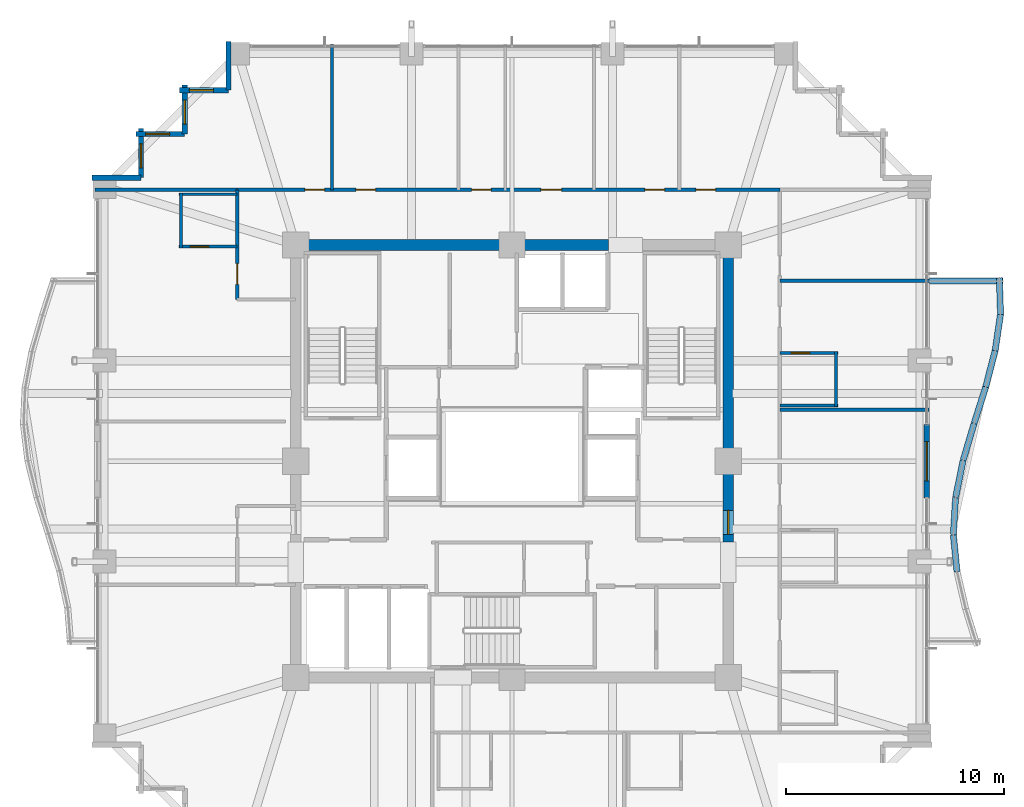
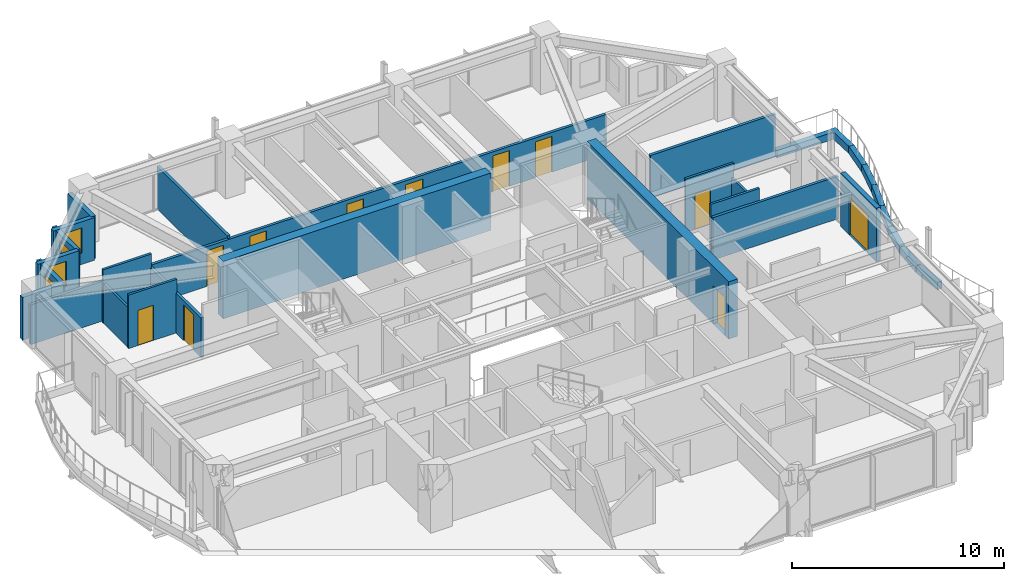
# One storey, part 34 of 38: 30 walls, 11 doors, 4 windows, 15 openings.
"""IFC4 building model written with IfcOpenShell, lengths in metres."""

from ifc_helpers import new_model, si_unit, direction, frame, frame_2d, origin, place, context, subcontext, project, spatial, rectangle, extrude, material, layer, layer_set, type_object, element, fill, save


model = new_model("IFC4")

# Units and contexts
model_context = context("Model", 3, precision=1e-05, world=origin(), true_north=direction((0.0, 1.0)))
body_context = subcontext(model_context, "Body", "Model", "MODEL_VIEW")
ifc_project = project(units=[si_unit("LENGTHUNIT", "METRE"), si_unit("AREAUNIT", "SQUARE_METRE"), si_unit("VOLUMEUNIT", "CUBIC_METRE"), si_unit("PLANEANGLEUNIT", "RADIAN"), si_unit("MASSUNIT", "GRAM", prefix="KILO")], contexts=[model_context])

# Site, building, storey
site_placement = place(None, origin())
site = spatial("IfcSite", under=ifc_project, at=site_placement, CompositionType="ELEMENT")
building_placement = place(site_placement, origin())
building = spatial("IfcBuilding", under=site, at=building_placement, Name="Kolvaren Belvedere", CompositionType="ELEMENT")
storey_placement = place(building_placement, frame((0.0, 0.0, 121.699951171875)))
storey = spatial("IfcBuildingStorey", under=building, at=storey_placement, Name="L35", CompositionType="ELEMENT", Elevation=121.699951171875)

# Wall
ifc_material_1 = material(Name="Concrete C50/60", Category="concrete")
ifc_layer_1 = layer(ifc_material_1, 0.5)
ifc_layer_set_1 = layer_set([ifc_layer_1], Name="Concrete C50/60")
wall_type_1 = type_object("IfcWallType", Name="CW-CORE-500", PredefinedType="SHEAR", material=ifc_layer_set_1)
wall_1_placement = place(storey_placement, frame((-10.14990234375, 9.89990234375, 0.0), z_axis=(0.0, 0.0, 1.0), x_axis=(1.0, 0.0, 0.0)))
element("IfcWall", 1, at=wall_1_placement, inside=storey, type_object=wall_type_1, Name="L35 North Core Shear Wall 1", PredefinedType="SHEAR", context=body_context, shape_type="SweptSolid", body=[
    extrude(rectangle(XDim=14.56982421875, YDim=0.5, at=frame_2d((7.284912109375, 0.0))), origin(), (0.0, 0.0, 1.0), 3.300048828125),
])

# Wall, opening, door
wall_2_placement = place(storey_placement, frame((9.89990234375, -3.699951171875, 0.0), z_axis=(0.0, 0.0, 1.0), x_axis=(0.0, 1.0, 0.0)))
wall_2 = element("IfcWall", 2, at=wall_2_placement, inside=storey, type_object=wall_type_1, Name="L35 East Core Shear Wall 2", PredefinedType="SHEAR", context=body_context, shape_type="SweptSolid", body=[
    extrude(rectangle(XDim=13.349853515625, YDim=0.5, at=frame_2d((6.6748046875, 0.0))), origin(), (0.0, 0.0, 1.0), 3.300048828125),
])
opening_1_placement = place(wall_2_placement, frame((0.35009765625, 0.0, 0.0)))
opening_1 = element("IfcOpeningElement", 3, at=opening_1_placement, cuts=wall_2, Name="Opening D-FD90", PredefinedType="OPENING", context=body_context, shape_type="SweptSolid", body=[
    extrude(rectangle(XDim=1.10009765625, YDim=2.199951171875, at=frame_2d((0.550048828125, 1.10009765625))), frame((0.0, 0.260009765625, 0.0), z_axis=(0.0, -1.0, 0.0), x_axis=(1.0, 0.0, 0.0)), (0.0, 0.0, 1.0), 0.52001953125),
])
ifc_material_2 = material(Name="Painted hollow stainless steel", Category="steel")
door_type_1 = type_object("IfcDoorType", Name="DR-FD90-1100", OperationType="NOTDEFINED", PredefinedType="DOOR", material=ifc_material_2)
door_1_placement = place(opening_1_placement, origin())
door_1 = element("IfcDoor", 4, at=door_1_placement, inside=storey, type_object=door_type_1, Name="L35 East Firefighting Lobby Fire Door", OperationType="SINGLE_SWING_RIGHT", OverallHeight=2.199951171875, OverallWidth=1.10009765625, PredefinedType="DOOR", context=body_context, shape_type="SweptSolid", body=[
    extrude(rectangle(XDim=1.10009765625, YDim=2.199951171875, at=frame_2d((0.550048828125, 1.10009765625))), frame((0.0, 0.02490234375, 0.0), z_axis=(0.0, -1.0, 0.0), x_axis=(1.0, 0.0, 0.0)), (0.0, 0.0, 1.0), 0.050048828125),
])
fill(opening_1, door_1)

# Wall, openings, doors
ifc_material_3 = material(Name="Gypsum fire-rated partition assembly", Category="gypsum")
ifc_layer_2 = layer(ifc_material_3, 0.14990234375)
ifc_layer_set_2 = layer_set([ifc_layer_2], Name="Gypsum fire-rated partition assembly")
wall_type_2 = type_object("IfcWallType", Name="WL-CORR-150", PredefinedType="PARTITIONING", material=ifc_layer_set_2)
wall_3_placement = place(storey_placement, frame((-12.580078125, 12.419921875, 0.0), z_axis=(0.0, 0.0, 1.0), x_axis=(1.0, 0.0, 0.0)))
wall_3 = element("IfcWall", 5, at=wall_3_placement, inside=storey, type_object=wall_type_2, Name="L35 North Corridor Wall", PredefinedType="PARTITIONING", context=body_context, shape_type="SweptSolid", body=[
    extrude(rectangle(XDim=24.840087890625, YDim=0.14990234375, at=frame_2d((12.419921875, 0.0))), origin(), (0.0, 0.0, 1.0), 2.2919921875),
])
opening_2_placement = place(wall_3_placement, frame((3.1044921875, 0.0, 0.0)))
opening_2 = element("IfcOpeningElement", 6, at=opening_2_placement, cuts=wall_3, Name="Opening D-INT90", PredefinedType="OPENING", context=body_context, shape_type="SweptSolid", body=[
    extrude(rectangle(XDim=0.89990234375, YDim=2.06005859375, at=frame_2d((0.449951171875, 1.030029296875))), frame((0.0, 0.0849609375, 0.0), z_axis=(0.0, -1.0, 0.0), x_axis=(1.0, 0.0, 0.0)), (0.0, 0.0, 1.0), 0.169921875),
])
opening_3_placement = place(wall_3_placement, frame((5.439453125, 0.0, 0.0)))
opening_3 = element("IfcOpeningElement", 7, at=opening_3_placement, cuts=wall_3, Name="Opening D-INT90", PredefinedType="OPENING", context=body_context, shape_type="SweptSolid", body=[
    extrude(rectangle(XDim=0.89990234375, YDim=2.06005859375, at=frame_2d((0.449951171875, 1.030029296875))), frame((0.0, 0.0849609375, 0.0), z_axis=(0.0, -1.0, 0.0), x_axis=(1.0, 0.0, 0.0)), (0.0, 0.0, 1.0), 0.169921875),
])
opening_4_placement = place(wall_3_placement, frame((10.72802734375, 0.0, 0.0)))
opening_4 = element("IfcOpeningElement", 8, at=opening_4_placement, cuts=wall_3, Name="Opening D-INT90", PredefinedType="OPENING", context=body_context, shape_type="SweptSolid", body=[
    extrude(rectangle(XDim=0.89990234375, YDim=2.06005859375, at=frame_2d((0.449951171875, 1.030029296875))), frame((0.0, 0.0849609375, 0.0), z_axis=(0.0, -1.0, 0.0), x_axis=(1.0, 0.0, 0.0)), (0.0, 0.0, 1.0), 0.169921875),
])
opening_5_placement = place(wall_3_placement, frame((13.905517578125, 0.0, 0.0)))
opening_5 = element("IfcOpeningElement", 9, at=opening_5_placement, cuts=wall_3, Name="Opening D-INT95", PredefinedType="OPENING", context=body_context, shape_type="SweptSolid", body=[
    extrude(rectangle(XDim=0.949951171875, YDim=2.06005859375, at=frame_2d((0.47509765625, 1.030029296875))), frame((0.0, 0.0849609375, 0.0), z_axis=(0.0, -1.0, 0.0), x_axis=(1.0, 0.0, 0.0)), (0.0, 0.0, 1.0), 0.169921875),
])
opening_6_placement = place(wall_3_placement, frame((18.66064453125, 0.0, 0.0)))
opening_6 = element("IfcOpeningElement", 10, at=opening_6_placement, cuts=wall_3, Name="Opening D-INT90", PredefinedType="OPENING", context=body_context, shape_type="SweptSolid", body=[
    extrude(rectangle(XDim=0.89990234375, YDim=2.06005859375, at=frame_2d((0.449951171875, 1.030029296875))), frame((0.0, 0.0849609375, 0.0), z_axis=(0.0, -1.0, 0.0), x_axis=(1.0, 0.0, 0.0)), (0.0, 0.0, 1.0), 0.169921875),
])
opening_7_placement = place(wall_3_placement, frame((20.99560546875, 0.0, 0.0)))
opening_7 = element("IfcOpeningElement", 11, at=opening_7_placement, cuts=wall_3, Name="Opening D-INT90", PredefinedType="OPENING", context=body_context, shape_type="SweptSolid", body=[
    extrude(rectangle(XDim=0.89990234375, YDim=2.06005859375, at=frame_2d((0.449951171875, 1.030029296875))), frame((0.0, 0.0849609375, 0.0), z_axis=(0.0, -1.0, 0.0), x_axis=(1.0, 0.0, 0.0)), (0.0, 0.0, 1.0), 0.169921875),
])
ifc_material_4 = material(Name="Stained Pacific white oak", Category="timber")
door_type_2 = type_object("IfcDoorType", Name="DR-INT-900", OperationType="NOTDEFINED", PredefinedType="DOOR", material=ifc_material_4)
door_2_placement = place(opening_2_placement, origin())
door_2 = element("IfcDoor", 12, at=door_2_placement, inside=storey, type_object=door_type_2, Name="L35 Private Hospitality Meeting Room 3501 Door", OperationType="SINGLE_SWING_RIGHT", OverallHeight=2.06005859375, OverallWidth=0.89990234375, PredefinedType="DOOR", context=body_context, shape_type="SweptSolid", body=[
    extrude(rectangle(XDim=0.89990234375, YDim=2.06005859375, at=frame_2d((0.449951171875, 1.030029296875))), frame((0.0, 0.02490234375, 0.0), z_axis=(0.0, -1.0, 0.0), x_axis=(1.0, 0.0, 0.0)), (0.0, 0.0, 1.0), 0.050048828125),
])
fill(opening_2, door_2)
door_3_placement = place(opening_3_placement, origin())
door_3 = element("IfcDoor", 13, at=door_3_placement, inside=storey, type_object=door_type_2, Name="L35 Panoramic Quiet Lounge 3502 Door", OperationType="SINGLE_SWING_LEFT", OverallHeight=2.06005859375, OverallWidth=0.89990234375, PredefinedType="DOOR", context=body_context, shape_type="SweptSolid", body=[
    extrude(rectangle(XDim=0.89990234375, YDim=2.06005859375, at=frame_2d((0.449951171875, 1.030029296875))), frame((0.0, 0.02490234375, 0.0), z_axis=(0.0, -1.0, 0.0), x_axis=(1.0, 0.0, 0.0)), (0.0, 0.0, 1.0), 0.050048828125),
])
fill(opening_3, door_3)
door_4_placement = place(opening_4_placement, origin())
door_4 = element("IfcDoor", 14, at=door_4_placement, inside=storey, type_object=door_type_2, Name="L35 Housekeeping Door", OperationType="SINGLE_SWING_RIGHT", OverallHeight=2.06005859375, OverallWidth=0.89990234375, PredefinedType="DOOR", context=body_context, shape_type="SweptSolid", body=[
    extrude(rectangle(XDim=0.89990234375, YDim=2.06005859375, at=frame_2d((0.449951171875, 1.030029296875))), frame((0.0, 0.02490234375, 0.0), z_axis=(0.0, -1.0, 0.0), x_axis=(1.0, 0.0, 0.0)), (0.0, 0.0, 1.0), 0.050048828125),
])
fill(opening_4, door_4)
door_5_placement = place(opening_6_placement, origin())
door_5 = element("IfcDoor", 15, at=door_5_placement, inside=storey, type_object=door_type_2, Name="L35 Botanical Reading Salon 3503 Door", OperationType="SINGLE_SWING_RIGHT", OverallHeight=2.06005859375, OverallWidth=0.89990234375, PredefinedType="DOOR", context=body_context, shape_type="SweptSolid", body=[
    extrude(rectangle(XDim=0.89990234375, YDim=2.06005859375, at=frame_2d((0.449951171875, 1.030029296875))), frame((0.0, 0.02490234375, 0.0), z_axis=(0.0, -1.0, 0.0), x_axis=(1.0, 0.0, 0.0)), (0.0, 0.0, 1.0), 0.050048828125),
])
fill(opening_6, door_5)
door_6_placement = place(opening_7_placement, origin())
door_6 = element("IfcDoor", 16, at=door_6_placement, inside=storey, type_object=door_type_2, Name="L35 Lounge 3504 Door", OperationType="SINGLE_SWING_LEFT", OverallHeight=2.06005859375, OverallWidth=0.89990234375, PredefinedType="DOOR", context=body_context, shape_type="SweptSolid", body=[
    extrude(rectangle(XDim=0.89990234375, YDim=2.06005859375, at=frame_2d((0.449951171875, 1.030029296875))), frame((0.0, 0.02490234375, 0.0), z_axis=(0.0, -1.0, 0.0), x_axis=(1.0, 0.0, 0.0)), (0.0, 0.0, 1.0), 0.050048828125),
])
fill(opening_7, door_6)
ifc_material_5 = material(Name="Stained Pacific white oak", Category="timber")
door_type_3 = type_object("IfcDoorType", Name="DR-INT-950", OperationType="NOTDEFINED", PredefinedType="DOOR", material=ifc_material_5)
door_7_placement = place(opening_5_placement, origin())
door_7 = element("IfcDoor", 17, at=door_7_placement, inside=storey, type_object=door_type_3, Name="L35 Accessible Washroom Door", OperationType="SINGLE_SWING_LEFT", OverallHeight=2.06005859375, OverallWidth=0.949951171875, PredefinedType="DOOR", context=body_context, shape_type="SweptSolid", body=[
    extrude(rectangle(XDim=0.949951171875, YDim=2.06005859375, at=frame_2d((0.47509765625, 1.030029296875))), frame((0.0, 0.02490234375, 0.0), z_axis=(0.0, -1.0, 0.0), x_axis=(1.0, 0.0, 0.0)), (0.0, 0.0, 1.0), 0.050048828125),
])
fill(opening_5, door_7)

# Wall, opening, door
wall_4_placement = place(storey_placement, frame((-12.580078125, 7.39990234375, 0.0), z_axis=(0.0, 0.0, 1.0), x_axis=(0.0, 1.0, 0.0)))
wall_4 = element("IfcWall", 18, at=wall_4_placement, inside=storey, type_object=wall_type_2, Name="L35 NW Corridor End Wall", PredefinedType="PARTITIONING", context=body_context, shape_type="SweptSolid", body=[
    extrude(rectangle(XDim=5.02001953125, YDim=0.14990234375, at=frame_2d((2.510009765625, 0.0))), origin(), (0.0, 0.0, 1.0), 2.2919921875),
])
opening_8_placement = place(wall_4_placement, frame((0.688720703125, 0.0, 0.0)))
opening_8 = element("IfcOpeningElement", 19, at=opening_8_placement, cuts=wall_4, Name="Opening D-FD60", PredefinedType="OPENING", context=body_context, shape_type="SweptSolid", body=[
    extrude(rectangle(XDim=0.949951171875, YDim=2.06005859375, at=frame_2d((0.47509765625, 1.030029296875))), frame((0.0, 0.0849609375, 0.0), z_axis=(0.0, -1.0, 0.0), x_axis=(1.0, 0.0, 0.0)), (0.0, 0.0, 1.0), 0.169921875),
])
ifc_material_6 = material(Name="Acoustic white-oak fire door leaf", Category="timber")
door_type_4 = type_object("IfcDoorType", Name="DR-FD60-950", OperationType="NOTDEFINED", PredefinedType="DOOR", material=ifc_material_6)
door_8_placement = place(opening_8_placement, origin())
door_8 = element("IfcDoor", 20, at=door_8_placement, inside=storey, type_object=door_type_4, Name="L35 King Guest Room 3509 Entry Door", OperationType="SINGLE_SWING_RIGHT", OverallHeight=2.06005859375, OverallWidth=0.949951171875, PredefinedType="DOOR", context=body_context, shape_type="SweptSolid", body=[
    extrude(rectangle(XDim=0.949951171875, YDim=2.06005859375, at=frame_2d((0.47509765625, 1.030029296875))), frame((0.0, 0.02490234375, 0.0), z_axis=(0.0, -1.0, 0.0), x_axis=(1.0, 0.0, 0.0)), (0.0, 0.0, 1.0), 0.050048828125),
])
fill(opening_8, door_8)

ifc_material_7 = material(Name="Insulated pale-metal facade wall assembly", Category="aluminium")
ifc_layer_3 = layer(ifc_material_7, 0.239990234375)
ifc_layer_set_3 = layer_set([ifc_layer_3], Name="Insulated pale-metal facade wall assembly")
wall_type_3 = type_object("IfcWallType", Name="WL-EXT-240", PredefinedType="STANDARD", material=ifc_layer_set_3)
wall_5_placement = place(storey_placement, frame((18.97998046875, 1.679931640625, 0.0), z_axis=(0.0, 0.0, 1.0), x_axis=(0.0, -1.0, 0.0)))
wall_5 = element("IfcWall", 21, at=wall_5_placement, inside=storey, type_object=wall_type_3, Name="L35 East Terrace Portal Wall", PredefinedType="STANDARD", context=body_context, shape_type="SweptSolid", body=[
    extrude(rectangle(XDim=3.35986328125, YDim=0.239990234375, at=frame_2d((1.679931640625, 0.0))), origin(), (0.0, 0.0, 1.0), 3.080078125),
])
opening_9_placement = place(wall_5_placement, frame((0.780029296875, 0.0, 0.0)))
opening_9 = element("IfcOpeningElement", 22, at=opening_9_placement, cuts=wall_5, Name="Opening DB-1800", PredefinedType="OPENING", context=body_context, shape_type="SweptSolid", body=[
    extrude(rectangle(XDim=1.800048828125, YDim=2.199951171875, at=frame_2d((0.89990234375, 1.10009765625))), frame((0.0, 0.1298828125, 0.0), z_axis=(0.0, -1.0, 0.0), x_axis=(1.0, 0.0, 0.0)), (0.0, 0.0, 1.0), 0.260009765625),
])
ifc_material_8 = material(Name="Thermally broken pale-metal aluminium & low-iron glass", Category="aluminium")
door_type_5 = type_object("IfcDoorType", Name="DR-BAL-1800", OperationType="DOUBLE_DOOR_SLIDING", PredefinedType="DOOR", material=ifc_material_8)
door_9_placement = place(opening_9_placement, origin())
door_9 = element("IfcDoor", 23, at=door_9_placement, inside=storey, type_object=door_type_5, Name="L35 East Planted Terrace Sliding Door", OperationType="DOUBLE_DOOR_SLIDING", OverallHeight=2.199951171875, OverallWidth=1.800048828125, PredefinedType="DOOR", context=body_context, shape_type="SweptSolid", body=[
    extrude(rectangle(XDim=1.800048828125, YDim=2.199951171875, at=frame_2d((0.89990234375, 1.10009765625))), frame((0.0, 0.02490234375, 0.0), z_axis=(0.0, -1.0, 0.0), x_axis=(1.0, 0.0, 0.0)), (0.0, 0.0, 1.0), 0.050048828125),
])
fill(opening_9, door_9)

# Wall
wall_6_placement = place(storey_placement, frame((-12.97998046875, 16.97998046875, 0.0), z_axis=(0.0, 0.0, 1.0), x_axis=(0.0, 1.0, 0.0)))
element("IfcWall", 24, at=wall_6_placement, inside=storey, type_object=wall_type_3, Name="L35 Serrated Corner Facade Wall 16", PredefinedType="STANDARD", context=body_context, shape_type="SweptSolid", body=[
    extrude(rectangle(XDim=2.239990234375, YDim=0.239990234375, at=frame_2d((1.1201171875, 0.0))), origin(), (0.0, 0.0, 1.0), 2.458984375),
])

# Wall, opening, window
wall_7_placement = place(storey_placement, frame((-15.219970703125, 16.97998046875, 0.0), z_axis=(0.0, 0.0, 1.0), x_axis=(1.0, 0.0, 0.0)))
wall_7 = element("IfcWall", 25, at=wall_7_placement, inside=storey, type_object=wall_type_3, Name="L35 Serrated Corner Facade Wall 17", PredefinedType="STANDARD", context=body_context, shape_type="SweptSolid", body=[
    extrude(rectangle(XDim=2.239990234375, YDim=0.239990234375, at=frame_2d((1.1201171875, 0.0))), origin(), (0.0, 0.0, 1.0), 2.458984375),
])
opening_10_placement = place(wall_7_placement, frame((0.449951171875, 0.0, 0.64990234375)))
opening_10 = element("IfcOpeningElement", 26, at=opening_10_placement, cuts=wall_7, Name="Opening W-1100", PredefinedType="OPENING", context=body_context, shape_type="SweptSolid", body=[
    extrude(rectangle(XDim=1.10009765625, YDim=1.449951171875, at=frame_2d((0.550048828125, 0.72509765625))), frame((0.0, 0.1298828125, 0.0), z_axis=(0.0, -1.0, 0.0), x_axis=(1.0, 0.0, 0.0)), (0.0, 0.0, 1.0), 0.260009765625),
])
ifc_material_9 = material(Name="Low-iron triple insulated glass", Category="glass")
window_type = type_object("IfcWindowType", Name="WN-CORN-1100", PartitioningType="SINGLE_PANEL", PredefinedType="WINDOW", material=ifc_material_9)
window_1_placement = place(opening_10_placement, origin())
window_1 = element("IfcWindow", 27, at=window_1_placement, inside=storey, type_object=window_type, Name="L35 Serrated Corner Vision Window 17", OverallHeight=1.449951171875, OverallWidth=1.10009765625, PartitioningType="SINGLE_PANEL", PredefinedType="WINDOW", context=body_context, shape_type="SweptSolid", body=[
    extrude(rectangle(XDim=1.10009765625, YDim=1.449951171875, at=frame_2d((0.550048828125, 0.72509765625))), frame((0.0, 0.030029296875, 0.0), z_axis=(0.0, -1.0, 0.0), x_axis=(1.0, 0.0, 0.0)), (0.0, 0.0, 1.0), 0.06005859375),
])
fill(opening_10, window_1)

wall_8_placement = place(storey_placement, frame((-14.97998046875, 14.97998046875, 0.0), z_axis=(0.0, 0.0, 1.0), x_axis=(0.0, 1.0, 0.0)))
wall_8 = element("IfcWall", 28, at=wall_8_placement, inside=storey, type_object=wall_type_3, Name="L35 Serrated Corner Facade Wall 18", PredefinedType="STANDARD", context=body_context, shape_type="SweptSolid", body=[
    extrude(rectangle(XDim=2.239990234375, YDim=0.239990234375, at=frame_2d((1.1201171875, 0.0))), origin(), (0.0, 0.0, 1.0), 2.458984375),
])
opening_11_placement = place(wall_8_placement, frame((0.449951171875, 0.0, 0.64990234375)))
opening_11 = element("IfcOpeningElement", 29, at=opening_11_placement, cuts=wall_8, Name="Opening W-1100", PredefinedType="OPENING", context=body_context, shape_type="SweptSolid", body=[
    extrude(rectangle(XDim=1.10009765625, YDim=1.449951171875, at=frame_2d((0.550048828125, 0.72509765625))), frame((0.0, 0.1298828125, 0.0), z_axis=(0.0, -1.0, 0.0), x_axis=(1.0, 0.0, 0.0)), (0.0, 0.0, 1.0), 0.260009765625),
])
window_2_placement = place(opening_11_placement, origin())
window_2 = element("IfcWindow", 30, at=window_2_placement, inside=storey, type_object=window_type, Name="L35 Serrated Corner Vision Window 18", OverallHeight=1.449951171875, OverallWidth=1.10009765625, PartitioningType="SINGLE_PANEL", PredefinedType="WINDOW", context=body_context, shape_type="SweptSolid", body=[
    extrude(rectangle(XDim=1.10009765625, YDim=1.449951171875, at=frame_2d((0.550048828125, 0.72509765625))), frame((0.0, 0.030029296875, 0.0), z_axis=(0.0, -1.0, 0.0), x_axis=(1.0, 0.0, 0.0)), (0.0, 0.0, 1.0), 0.06005859375),
])
fill(opening_11, window_2)

wall_9_placement = place(storey_placement, frame((-17.219970703125, 14.97998046875, 0.0), z_axis=(0.0, 0.0, 1.0), x_axis=(1.0, 0.0, 0.0)))
wall_9 = element("IfcWall", 31, at=wall_9_placement, inside=storey, type_object=wall_type_3, Name="L35 Serrated Corner Facade Wall 19", PredefinedType="STANDARD", context=body_context, shape_type="SweptSolid", body=[
    extrude(rectangle(XDim=2.239990234375, YDim=0.239990234375, at=frame_2d((1.1201171875, 0.0))), origin(), (0.0, 0.0, 1.0), 2.458984375),
])
opening_12_placement = place(wall_9_placement, frame((0.449951171875, 0.0, 0.64990234375)))
opening_12 = element("IfcOpeningElement", 32, at=opening_12_placement, cuts=wall_9, Name="Opening W-1100", PredefinedType="OPENING", context=body_context, shape_type="SweptSolid", body=[
    extrude(rectangle(XDim=1.10009765625, YDim=1.449951171875, at=frame_2d((0.550048828125, 0.72509765625))), frame((0.0, 0.1298828125, 0.0), z_axis=(0.0, -1.0, 0.0), x_axis=(1.0, 0.0, 0.0)), (0.0, 0.0, 1.0), 0.260009765625),
])
window_3_placement = place(opening_12_placement, origin())
window_3 = element("IfcWindow", 33, at=window_3_placement, inside=storey, type_object=window_type, Name="L35 Serrated Corner Vision Window 19", OverallHeight=1.449951171875, OverallWidth=1.10009765625, PartitioningType="SINGLE_PANEL", PredefinedType="WINDOW", context=body_context, shape_type="SweptSolid", body=[
    extrude(rectangle(XDim=1.10009765625, YDim=1.449951171875, at=frame_2d((0.550048828125, 0.72509765625))), frame((0.0, 0.030029296875, 0.0), z_axis=(0.0, -1.0, 0.0), x_axis=(1.0, 0.0, 0.0)), (0.0, 0.0, 1.0), 0.06005859375),
])
fill(opening_12, window_3)

wall_10_placement = place(storey_placement, frame((-16.97998046875, 12.97998046875, 0.0), z_axis=(0.0, 0.0, 1.0), x_axis=(0.0, 1.0, 0.0)))
wall_10 = element("IfcWall", 34, at=wall_10_placement, inside=storey, type_object=wall_type_3, Name="L35 Serrated Corner Facade Wall 20", PredefinedType="STANDARD", context=body_context, shape_type="SweptSolid", body=[
    extrude(rectangle(XDim=2.239990234375, YDim=0.239990234375, at=frame_2d((1.1201171875, 0.0))), origin(), (0.0, 0.0, 1.0), 2.458984375),
])
opening_13_placement = place(wall_10_placement, frame((0.449951171875, 0.0, 0.64990234375)))
opening_13 = element("IfcOpeningElement", 35, at=opening_13_placement, cuts=wall_10, Name="Opening W-1100", PredefinedType="OPENING", context=body_context, shape_type="SweptSolid", body=[
    extrude(rectangle(XDim=1.10009765625, YDim=1.449951171875, at=frame_2d((0.550048828125, 0.72509765625))), frame((0.0, 0.1298828125, 0.0), z_axis=(0.0, -1.0, 0.0), x_axis=(1.0, 0.0, 0.0)), (0.0, 0.0, 1.0), 0.260009765625),
])
window_4_placement = place(opening_13_placement, origin())
window_4 = element("IfcWindow", 36, at=window_4_placement, inside=storey, type_object=window_type, Name="L35 Serrated Corner Vision Window 20", OverallHeight=1.449951171875, OverallWidth=1.10009765625, PartitioningType="SINGLE_PANEL", PredefinedType="WINDOW", context=body_context, shape_type="SweptSolid", body=[
    extrude(rectangle(XDim=1.10009765625, YDim=1.449951171875, at=frame_2d((0.550048828125, 0.72509765625))), frame((0.0, 0.030029296875, 0.0), z_axis=(0.0, -1.0, 0.0), x_axis=(1.0, 0.0, 0.0)), (0.0, 0.0, 1.0), 0.06005859375),
])
fill(opening_13, window_4)

# Walls
wall_11_placement = place(storey_placement, frame((-19.219970703125, 12.97998046875, 0.0), z_axis=(0.0, 0.0, 1.0), x_axis=(1.0, 0.0, 0.0)))
element("IfcWall", 37, at=wall_11_placement, inside=storey, type_object=wall_type_3, Name="L35 Serrated Corner Facade Wall 21", PredefinedType="STANDARD", context=body_context, shape_type="SweptSolid", body=[
    extrude(rectangle(XDim=2.239990234375, YDim=0.239990234375, at=frame_2d((1.1201171875, 0.0))), origin(), (0.0, 0.0, 1.0), 2.458984375),
])
ifc_material_10 = material(Name="Gypsum acoustic partition assembly", Category="gypsum")
ifc_layer_4 = layer(ifc_material_10, 0.14990234375)
ifc_layer_set_4 = layer_set([ifc_layer_4], Name="Gypsum acoustic partition assembly")
wall_type_4 = type_object("IfcWallType", Name="WL-PART-150", PredefinedType="PARTITIONING", material=ifc_layer_set_4)
wall_12_placement = place(storey_placement, frame((-19.080078125, 12.419921875, 0.0), z_axis=(0.0, 0.0, 1.0), x_axis=(1.0, 0.0, 0.0)))
element("IfcWall", 38, at=wall_12_placement, inside=storey, type_object=wall_type_4, Name="L35 Wing Divider PW-L35-QNW", PredefinedType="PARTITIONING", context=body_context, shape_type="SweptSolid", body=[
    extrude(rectangle(XDim=6.5, YDim=0.14990234375, at=frame_2d((3.25, 0.0))), origin(), (0.0, 0.0, 1.0), 2.2919921875),
])
wall_13_placement = place(storey_placement, frame((-8.243896484375, 12.419921875, 0.0), z_axis=(0.0, 0.0, 1.0), x_axis=(0.0, 1.0, 0.0)))
element("IfcWall", 39, at=wall_13_placement, inside=storey, type_object=wall_type_4, Name="L35 North Suite Demising Wall 1", PredefinedType="PARTITIONING", context=body_context, shape_type="SweptSolid", body=[
    extrude(rectangle(XDim=6.66015625, YDim=0.14990234375, at=frame_2d((3.330078125, 0.0))), origin(), (0.0, 0.0, 1.0), 2.448974609375),
])
for number, where, z_axis, x_axis, name in (
    (40, (12.260009765625, 2.360107421875, 0.0), (0.0, 0.0, 1.0), (1.0, 0.0, 0.0), "L35 East Suite Demising Wall 2"),
    (41, (12.260009765625, 8.260009765625, 0.0), (0.0, 0.0, 1.0), (1.0, 0.0, 0.0), "L35 East Suite Demising Wall 3"),
):
    element("IfcWall", number, at=place(storey_placement, frame(where, z_axis=z_axis, x_axis=x_axis)), inside=storey, type_object=wall_type_4, Name=name, PredefinedType="PARTITIONING", context=body_context, shape_type="SweptSolid", body=[
        extrude(rectangle(XDim=6.820068359375, YDim=0.14990234375, at=frame_2d((3.41015625, 0.0))), origin(), (0.0, 0.0, 1.0), 2.448974609375),
    ])
ifc_material_11 = material(Name="Precast concrete C40/50", Category="concrete")
ifc_layer_5 = layer(ifc_material_11, 0.300048828125)
ifc_layer_set_5 = layer_set([ifc_layer_5], Name="Precast concrete C40/50")
wall_type_5 = type_object("IfcWallType", Name="WL-PLANTER-300", PredefinedType="PARAPET", material=ifc_layer_set_5)
wall_14_placement = place(storey_placement, frame((20.368896484375, -5.0556640625, -0.0400390625), z_axis=(0.0, 0.0, 1.0), x_axis=(-0.098343801694, 0.995152499202, 0.0)))
element("IfcWall", 42, at=wall_14_placement, inside=storey, type_object=wall_type_5, Name="L35 Precast Structural Planter Wall BAL-E-3", PredefinedType="PARAPET", context=body_context, shape_type="SweptSolid", body=[
    extrude(rectangle(XDim=1.688232421875, YDim=0.280029296875, at=frame_2d((0.84423828125, 0.0))), origin(), (0.0, 0.0, 1.0), 0.420166015625),
])
wall_15_placement = place(storey_placement, frame((20.202392578125, -3.350341796875, -0.0400390625), z_axis=(0.0, 0.0, 1.0), x_axis=(0.059767979379, 0.998212296378, 0.0)))
element("IfcWall", 43, at=wall_15_placement, inside=storey, type_object=wall_type_5, Name="L35 Precast Structural Planter Wall BAL-E-4", PredefinedType="PARAPET", context=body_context, shape_type="SweptSolid", body=[
    extrude(rectangle(XDim=1.682861328125, YDim=0.280029296875, at=frame_2d((0.84130859375, 0.0))), origin(), (0.0, 0.0, 1.0), 0.420166015625),
])
wall_16_placement = place(storey_placement, frame((20.305908203125, -1.64794921875, -0.0400390625), z_axis=(0.0, 0.0, 1.0), x_axis=(0.199784246163, 0.979839912937, 0.0)))
element("IfcWall", 44, at=wall_16_placement, inside=storey, type_object=wall_type_5, Name="L35 Precast Structural Planter Wall BAL-E-5", PredefinedType="PARAPET", context=body_context, shape_type="SweptSolid", body=[
    extrude(rectangle(XDim=1.714599609375, YDim=0.280029296875, at=frame_2d((0.857421875, 0.0))), origin(), (0.0, 0.0, 1.0), 0.420166015625),
])
wall_17_placement = place(storey_placement, frame((20.65185546875, 0.045654296875, -0.0400390625), z_axis=(0.0, 0.0, 1.0), x_axis=(0.284880325779, 0.95856309129, 0.0)))
element("IfcWall", 45, at=wall_17_placement, inside=storey, type_object=wall_type_5, Name="L35 Precast Structural Planter Wall BAL-E-6", PredefinedType="PARAPET", context=body_context, shape_type="SweptSolid", body=[
    extrude(rectangle(XDim=1.75244140625, YDim=0.280029296875, at=frame_2d((0.876220703125, 0.0))), origin(), (0.0, 0.0, 1.0), 0.420166015625),
])
wall_18_placement = place(storey_placement, frame((21.152099609375, 1.728515625, -0.0400390625), z_axis=(0.0, 0.0, 1.0), x_axis=(0.302397356111, 0.953181954832, 0.0)))
element("IfcWall", 46, at=wall_18_placement, inside=storey, type_object=wall_type_5, Name="L35 Precast Structural Planter Wall BAL-E-7", PredefinedType="PARAPET", context=body_context, shape_type="SweptSolid", body=[
    extrude(rectangle(XDim=1.762451171875, YDim=0.280029296875, at=frame_2d((0.88134765625, 0.0))), origin(), (0.0, 0.0, 1.0), 0.420166015625),
])
wall_19_placement = place(storey_placement, frame((21.6826171875, 3.400146484375, -0.0400390625), z_axis=(0.0, 0.0, 1.0), x_axis=(0.250439664624, 0.968132209145, 0.0)))
element("IfcWall", 47, at=wall_19_placement, inside=storey, type_object=wall_type_5, Name="L35 Precast Structural Planter Wall BAL-E-8", PredefinedType="PARAPET", context=body_context, shape_type="SweptSolid", body=[
    extrude(rectangle(XDim=1.7353515625, YDim=0.280029296875, at=frame_2d((0.86767578125, 0.0))), origin(), (0.0, 0.0, 1.0), 0.420166015625),
])
wall_20_placement = place(storey_placement, frame((22.114013671875, 5.063232421875, -0.0400390625), z_axis=(0.0, 0.0, 1.0), x_axis=(0.145907826437, 0.98929818871, 0.0)))
element("IfcWall", 48, at=wall_20_placement, inside=storey, type_object=wall_type_5, Name="L35 Precast Structural Planter Wall BAL-E-9", PredefinedType="PARAPET", context=body_context, shape_type="SweptSolid", body=[
    extrude(rectangle(XDim=1.6982421875, YDim=0.280029296875, at=frame_2d((0.84912109375, 0.0))), origin(), (0.0, 0.0, 1.0), 0.420166015625),
])
wall_21_placement = place(storey_placement, frame((22.360107421875, 6.715087890625, -0.0400390625), z_axis=(0.0, 0.0, 1.0), x_axis=(-0.031520443874, 0.999503107358, 0.0)))
element("IfcWall", 49, at=wall_21_placement, inside=storey, type_object=wall_type_5, Name="L35 Precast Structural Planter Wall BAL-E-10", PredefinedType="PARAPET", context=body_context, shape_type="SweptSolid", body=[
    extrude(rectangle(XDim=1.6806640625, YDim=0.280029296875, at=frame_2d((0.84033203125, 0.0))), origin(), (0.0, 0.0, 1.0), 0.420166015625),
])
wall_22_placement = place(storey_placement, frame((22.467041015625, 8.239990234375, -0.0400390625), z_axis=(0.0, 0.0, 1.0), x_axis=(-1.0, 0.0, 0.0)))
element("IfcWall", 50, at=wall_22_placement, inside=storey, type_object=wall_type_5, Name="L35 Precast Structural Planter Wall BAL-E-11", PredefinedType="PARAPET", context=body_context, shape_type="SweptSolid", body=[
    extrude(rectangle(XDim=3.366943359375, YDim=0.280029296875, at=frame_2d((1.68359375, 0.0))), origin(), (0.0, 0.0, 1.0), 0.420166015625),
])

# Wall, opening, door
ifc_material_12 = material(Name="Moisture-resistant gypsum partition", Category="gypsum")
ifc_layer_6 = layer(ifc_material_12, 0.125)
ifc_layer_set_6 = layer_set([ifc_layer_6], Name="Moisture-resistant gypsum partition")
wall_type_6 = type_object("IfcWallType", Name="WL-WET-125", PredefinedType="PARTITIONING", material=ifc_layer_set_6)
wall_23_placement = place(storey_placement, frame((12.27490234375, 4.955078125, 0.0), z_axis=(0.0, 0.0, 1.0), x_axis=(1.0, 0.0, 0.0)))
wall_23 = element("IfcWall", 51, at=wall_23_placement, inside=storey, type_object=wall_type_6, Name="L35 Bathroom Partition PW-L35-BTH-7-N", PredefinedType="PARTITIONING", context=body_context, shape_type="SweptSolid", body=[
    extrude(rectangle(XDim=2.64013671875, YDim=0.125, at=frame_2d((1.320068359375, 0.0))), origin(), (0.0, 0.0, 1.0), 3.080078125),
])
opening_14_placement = place(wall_23_placement, frame((0.5, 0.0, 0.0)))
opening_14 = element("IfcOpeningElement", 52, at=opening_14_placement, cuts=wall_23, Name="Opening D-BTH85", PredefinedType="OPENING", context=body_context, shape_type="SweptSolid", body=[
    extrude(rectangle(XDim=0.85009765625, YDim=2.030029296875, at=frame_2d((0.425048828125, 1.01513671875))), frame((0.0, 0.072509765625, 0.0), z_axis=(0.0, -1.0, 0.0), x_axis=(1.0, 0.0, 0.0)), (0.0, 0.0, 1.0), 0.14501953125),
])
ifc_material_13 = material(Name="Moisture-sealed Pacific white oak", Category="timber")
door_type_6 = type_object("IfcDoorType", Name="DR-BATH-850", OperationType="NOTDEFINED", PredefinedType="DOOR", material=ifc_material_13)
door_10_placement = place(opening_14_placement, origin())
door_10 = element("IfcDoor", 53, at=door_10_placement, inside=storey, type_object=door_type_6, Name="L35 En-Suite Bathroom 3507 Door", OperationType="SINGLE_SWING_RIGHT", OverallHeight=2.030029296875, OverallWidth=0.85009765625, PredefinedType="DOOR", context=body_context, shape_type="SweptSolid", body=[
    extrude(rectangle(XDim=0.85009765625, YDim=2.030029296875, at=frame_2d((0.425048828125, 1.01513671875))), frame((0.0, 0.02490234375, 0.0), z_axis=(0.0, -1.0, 0.0), x_axis=(1.0, 0.0, 0.0)), (0.0, 0.0, 1.0), 0.050048828125),
])
fill(opening_14, door_10)

# Walls
wall_24_placement = place(storey_placement, frame((14.8349609375, 2.4951171875, 0.0), z_axis=(0.0, 0.0, 1.0), x_axis=(0.0, 1.0, 0.0)))
element("IfcWall", 54, at=wall_24_placement, inside=storey, type_object=wall_type_6, Name="L35 Bathroom Partition PW-L35-BTH-7-V", PredefinedType="PARTITIONING", context=body_context, shape_type="SweptSolid", body=[
    extrude(rectangle(XDim=2.519775390625, YDim=0.125, at=frame_2d((1.259765625, 0.0))), origin(), (0.0, 0.0, 1.0), 2.2919921875),
])
wall_25_placement = place(storey_placement, frame((12.27490234375, 2.554931640625, 0.0), z_axis=(0.0, 0.0, 1.0), x_axis=(1.0, 0.0, 0.0)))
element("IfcWall", 55, at=wall_25_placement, inside=storey, type_object=wall_type_6, Name="L35 Bathroom Partition PW-L35-BTH-7-S", PredefinedType="PARTITIONING", context=body_context, shape_type="SweptSolid", body=[
    extrude(rectangle(XDim=2.64013671875, YDim=0.125, at=frame_2d((1.320068359375, 0.0))), origin(), (0.0, 0.0, 1.0), 3.080078125),
])

# Wall, opening, door
wall_26_placement = place(storey_placement, frame((-15.235107421875, 9.824951171875, 0.0), z_axis=(0.0, 0.0, 1.0), x_axis=(1.0, 0.0, 0.0)))
wall_26 = element("IfcWall", 56, at=wall_26_placement, inside=storey, type_object=wall_type_6, Name="L35 Bathroom Partition PW-L35-BTH-9-N", PredefinedType="PARTITIONING", context=body_context, shape_type="SweptSolid", body=[
    extrude(rectangle(XDim=2.64013671875, YDim=0.125, at=frame_2d((1.320068359375, 0.0))), origin(), (0.0, 0.0, 1.0), 3.080078125),
])
opening_15_placement = place(wall_26_placement, frame((0.5, 0.0, 0.0)))
opening_15 = element("IfcOpeningElement", 57, at=opening_15_placement, cuts=wall_26, Name="Opening D-BTH85", PredefinedType="OPENING", context=body_context, shape_type="SweptSolid", body=[
    extrude(rectangle(XDim=0.85009765625, YDim=2.030029296875, at=frame_2d((0.425048828125, 1.01513671875))), frame((0.0, 0.072509765625, 0.0), z_axis=(0.0, -1.0, 0.0), x_axis=(1.0, 0.0, 0.0)), (0.0, 0.0, 1.0), 0.14501953125),
])
door_11_placement = place(opening_15_placement, origin())
door_11 = element("IfcDoor", 58, at=door_11_placement, inside=storey, type_object=door_type_6, Name="L35 En-Suite Bathroom 3509 Door", OperationType="SINGLE_SWING_LEFT", OverallHeight=2.030029296875, OverallWidth=0.85009765625, PredefinedType="DOOR", context=body_context, shape_type="SweptSolid", body=[
    extrude(rectangle(XDim=0.85009765625, YDim=2.030029296875, at=frame_2d((0.425048828125, 1.01513671875))), frame((0.0, 0.02490234375, 0.0), z_axis=(0.0, -1.0, 0.0), x_axis=(1.0, 0.0, 0.0)), (0.0, 0.0, 1.0), 0.050048828125),
])
fill(opening_15, door_11)

# Walls
wall_27_placement = place(storey_placement, frame((-15.155029296875, 9.764892578125, 0.0), z_axis=(0.0, 0.0, 1.0), x_axis=(0.0, 1.0, 0.0)))
element("IfcWall", 59, at=wall_27_placement, inside=storey, type_object=wall_type_6, Name="L35 Bathroom Partition PW-L35-BTH-9-V", PredefinedType="PARTITIONING", context=body_context, shape_type="SweptSolid", body=[
    extrude(rectangle(XDim=2.52001953125, YDim=0.125, at=frame_2d((1.260009765625, 0.0))), origin(), (0.0, 0.0, 1.0), 2.2919921875),
])
wall_28_placement = place(storey_placement, frame((-15.235107421875, 12.22509765625, 0.0), z_axis=(0.0, 0.0, 1.0), x_axis=(1.0, 0.0, 0.0)))
element("IfcWall", 60, at=wall_28_placement, inside=storey, type_object=wall_type_6, Name="L35 Bathroom Partition PW-L35-BTH-9-S", PredefinedType="PARTITIONING", context=body_context, shape_type="SweptSolid", body=[
    extrude(rectangle(XDim=2.64013671875, YDim=0.125, at=frame_2d((1.320068359375, 0.0))), origin(), (0.0, 0.0, 1.0), 3.080078125),
])

save(model, "model.ifc")
